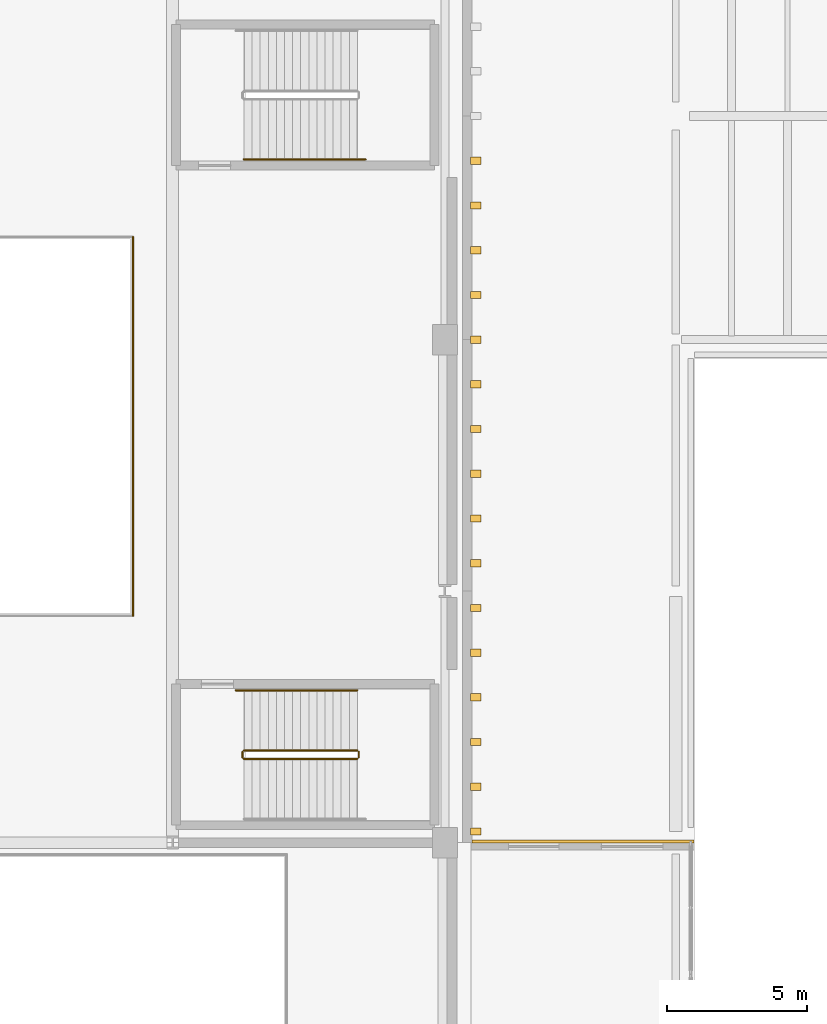
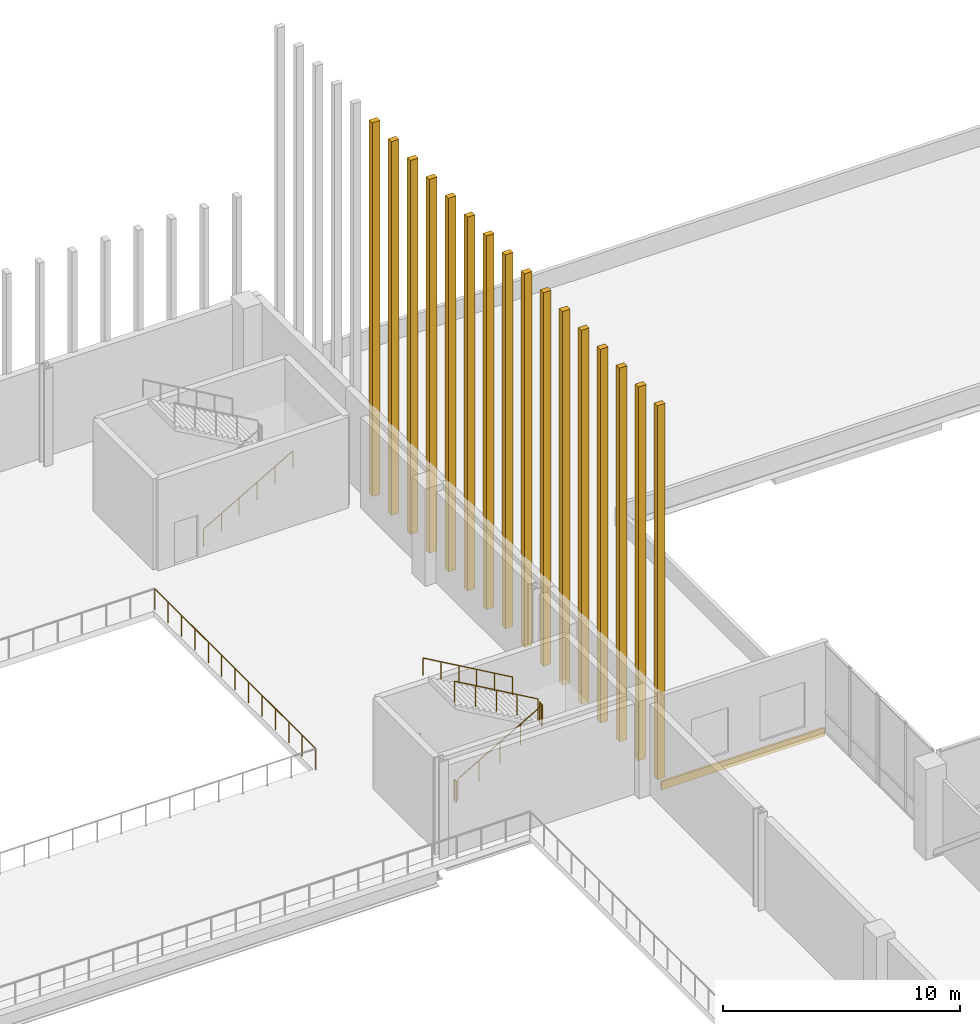
# One storey, part 56 of 60: 17 coverings, 7 railings.
"""IFC4 building model written with IfcOpenShell, lengths in metres."""

from ifc_helpers import new_model, si_unit, direction, frame, origin, origin_2d, place, context, subcontext, project, spatial, rectangle, circle, extrude, material, layer, layer_set, type_object, element, save


model = new_model("IFC4")

# Units and contexts
model_context = context("Model", 3, precision=1e-05, world=origin(), true_north=direction((0.0, 1.0)))
body_context = subcontext(model_context, "Body", "Model", "MODEL_VIEW")
ifc_project = project(units=[si_unit("LENGTHUNIT", "METRE"), si_unit("AREAUNIT", "SQUARE_METRE"), si_unit("VOLUMEUNIT", "CUBIC_METRE"), si_unit("PLANEANGLEUNIT", "RADIAN"), si_unit("MASSUNIT", "GRAM", prefix="KILO")], contexts=[model_context])

# Site, building, storey
site_placement = place(None, origin())
site = spatial("IfcSite", under=ifc_project, at=site_placement, CompositionType="ELEMENT")
building_placement = place(site_placement, origin())
building = spatial("IfcBuilding", under=site, at=building_placement, Name="Trimount Lyric Opera House", CompositionType="ELEMENT")
storey_placement = place(building_placement, frame((0.0, 0.0, 15.0)))
storey = spatial("IfcBuildingStorey", under=building, at=storey_placement, Name="L03", CompositionType="ELEMENT", Elevation=15.0)

# Coverings
ifc_material_1 = material(Name="Extruded Brushed Aluminium Vertical Shed Rib", Category="aluminium")
ifc_layer_1 = layer(ifc_material_1, 0.260009765625)
ifc_layer_set_1 = layer_set([ifc_layer_1], Name="CLD-RIB1")
covering_type_1 = type_object("IfcCoveringType", Name="CLD-RIB1", PredefinedType="CLADDING", material=ifc_layer_set_1)
for number, where, z_axis, x_axis, name in (
    (1, (114.85009765625, 84.39990234375, 0.0), (0.0, 0.0, 1.0), (1.0, 0.0, 0.0), "Fly-tower E lower vertical rib 079"),
    (2, (114.85009765625, 86.0, 0.0), (0.0, 0.0, 1.0), (1.0, 0.0, 0.0), "Fly-tower E lower vertical rib 081"),
    (3, (114.85009765625, 87.60009765625, 0.0), (0.0, 0.0, 1.0), (1.0, 0.0, 0.0), "Fly-tower E lower vertical rib 083"),
    (4, (114.85009765625, 89.199951171875, 0.0), (0.0, 0.0, 1.0), (1.0, 0.0, 0.0), "Fly-tower E lower vertical rib 085"),
    (5, (114.85009765625, 90.800048828125, 0.0), (0.0, 0.0, 1.0), (1.0, 0.0, 0.0), "Fly-tower E lower vertical rib 087"),
    (6, (114.85009765625, 92.39990234375, 0.0), (0.0, 0.0, 1.0), (1.0, 0.0, 0.0), "Fly-tower E lower vertical rib 089"),
    (7, (114.85009765625, 94.0, 0.0), (0.0, 0.0, 1.0), (1.0, 0.0, 0.0), "Fly-tower E lower vertical rib 091"),
    (8, (114.85009765625, 95.60009765625, 0.0), (0.0, 0.0, 1.0), (1.0, 0.0, 0.0), "Fly-tower E lower vertical rib 093"),
    (9, (114.85009765625, 97.199951171875, 0.0), (0.0, 0.0, 1.0), (1.0, 0.0, 0.0), "Fly-tower E lower vertical rib 095"),
    (10, (114.85009765625, 98.800048828125, 0.0), (0.0, 0.0, 1.0), (1.0, 0.0, 0.0), "Fly-tower E lower vertical rib 097"),
    (11, (114.85009765625, 100.39990234375, 0.0), (0.0, 0.0, 1.0), (1.0, 0.0, 0.0), "Fly-tower E lower vertical rib 099"),
    (12, (114.85009765625, 102.0, 0.0), (0.0, 0.0, 1.0), (1.0, 0.0, 0.0), "Fly-tower E lower vertical rib 101"),
    (13, (114.85009765625, 103.60009765625, 0.0), (0.0, 0.0, 1.0), (1.0, 0.0, 0.0), "Fly-tower E lower vertical rib 103"),
    (14, (114.85009765625, 105.199951171875, 0.0), (0.0, 0.0, 1.0), (1.0, 0.0, 0.0), "Fly-tower E lower vertical rib 105"),
    (15, (114.85009765625, 106.800048828125, 0.0), (0.0, 0.0, 1.0), (1.0, 0.0, 0.0), "Fly-tower E lower vertical rib 107"),
    (16, (114.85009765625, 108.39990234375, 0.0), (0.0, 0.0, 1.0), (1.0, 0.0, 0.0), "Fly-tower E lower vertical rib 109"),
):
    element("IfcCovering", number, at=place(storey_placement, frame(where, z_axis=z_axis, x_axis=x_axis)), inside=storey, type_object=covering_type_1, Name=name, PredefinedType="CLADDING", context=body_context, shape_type="SweptSolid", body=[
        extrude(rectangle(XDim=0.3798828125, YDim=0.260009765625, at=origin_2d()), origin(), (0.0, 0.0, 1.0), 19.219970703125),
    ])
ifc_material_2 = material(Name="Architectural Precast Concrete Spandrel Band", Category="concrete")
ifc_layer_2 = layer(ifc_material_2, 0.094970703125)
ifc_layer_set_2 = layer_set([ifc_layer_2], Name="CLD-WING1")
covering_type_2 = type_object("IfcCoveringType", Name="CLD-WING1", PredefinedType="CLADDING", material=ifc_layer_set_2)
covering_placement = place(storey_placement, frame((118.679931640625, 84.04150390625, -0.369873046875), z_axis=(0.0, 0.0, 1.0), x_axis=(1.0, 0.0, 0.0)))
element("IfcCovering", 17, at=covering_placement, inside=storey, type_object=covering_type_2, Name="L03 precast slab-edge spandrel 267", PredefinedType="CLADDING", context=body_context, shape_type="SweptSolid", body=[
    extrude(rectangle(XDim=7.93994140625, YDim=0.094970703125, at=origin_2d()), origin(), (0.0, 0.0, 1.0), 0.419921875),
])

# Railings
ifc_material_3 = material(Name="Brushed Stainless Steel 316", Category="steel")
railing_type_1 = type_object("IfcRailingType", Name="RL-GRD110", PredefinedType="GUARDRAIL", material=ifc_material_3)
railing_1_placement = place(storey_placement, frame((106.550048828125, 87.0, 0.166748046875)))
element("IfcRailing", 18, at=railing_1_placement, inside=storey, type_object=railing_type_1, Name="L03 ST-04 stair guard 1", PredefinedType="GUARDRAIL", context=body_context, shape_type="SweptSolid", body=[
    extrude(circle(Radius=0.02392578125, at=origin_2d()), frame((0.0, 0.0, 1.076171875), z_axis=(0.867024558463, 0.0, 0.498265406207), x_axis=(0.0, 1.0, 0.0)), (0.0, 0.0, 1.0), 4.682861328125),
    extrude(circle(Radius=0.02099609375, at=origin_2d()), origin(), (0.0, 0.0, 1.0), 1.052001953125),
    extrude(circle(Radius=0.02099609375, at=origin_2d()), frame((1.01513671875, 0.0, 0.583251953125)), (0.0, 0.0, 1.0), 1.052001953125),
    extrude(circle(Radius=0.02099609375, at=origin_2d()), frame((2.030029296875, 0.0, 1.16650390625)), (0.0, 0.0, 1.0), 1.052001953125),
    extrude(circle(Radius=0.02099609375, at=origin_2d()), frame((3.044921875, 0.0, 1.75)), (0.0, 0.0, 1.0), 1.052001953125),
    extrude(circle(Radius=0.02099609375, at=origin_2d()), frame((4.06005859375, 0.0, 2.333251953125)), (0.0, 0.0, 1.0), 1.052001953125),
])
railing_2_placement = place(storey_placement, frame((110.659912109375, 87.050048828125, 2.5)))
element("IfcRailing", 19, at=railing_2_placement, inside=storey, type_object=railing_type_1, Name="L03 ST-04 stair guard 2", PredefinedType="GUARDRAIL", context=body_context, shape_type="SweptSolid", body=[
    extrude(circle(Radius=0.02392578125, at=origin_2d()), frame((0.0, 0.0, 1.076171875), z_axis=(0.0, 1.0, 0.0), x_axis=(-1.0, 0.0, 0.0)), (0.0, 0.0, 1.0), 0.199951171875),
    extrude(circle(Radius=0.02099609375, at=origin_2d()), origin(), (0.0, 0.0, 1.0), 1.052001953125),
    extrude(circle(Radius=0.02099609375, at=origin_2d()), frame((0.0, 0.199951171875, 0.0)), (0.0, 0.0, 1.0), 1.052001953125),
])
railing_3_placement = place(storey_placement, frame((110.610107421875, 87.300048828125, 2.666748046875)))
element("IfcRailing", 20, at=railing_3_placement, inside=storey, type_object=railing_type_1, Name="L03 ST-04 stair guard 3", PredefinedType="GUARDRAIL", context=body_context, shape_type="SweptSolid", body=[
    extrude(circle(Radius=0.02392578125, at=origin_2d()), frame((0.0, 0.0, 1.076171875), z_axis=(-0.867024558463, 0.0, 0.498265406207), x_axis=(0.0, -1.0, 0.0)), (0.0, 0.0, 1.0), 4.682861328125),
    extrude(circle(Radius=0.02099609375, at=origin_2d()), origin(), (0.0, 0.0, 1.0), 1.052001953125),
    extrude(circle(Radius=0.02099609375, at=origin_2d()), frame((-1.01513671875, 0.0, 0.583251953125)), (0.0, 0.0, 1.0), 1.052001953125),
    extrude(circle(Radius=0.02099609375, at=origin_2d()), frame((-2.030029296875, 0.0, 1.16650390625)), (0.0, 0.0, 1.0), 1.052001953125),
    extrude(circle(Radius=0.02099609375, at=origin_2d()), frame((-3.044921875, 0.0, 1.75)), (0.0, 0.0, 1.0), 1.052001953125),
    extrude(circle(Radius=0.02099609375, at=origin_2d()), frame((-4.06005859375, 0.0, 2.333251953125)), (0.0, 0.0, 1.0), 1.052001953125),
])
railing_4_placement = place(storey_placement, frame((106.5, 87.050048828125, 0.0)))
element("IfcRailing", 21, at=railing_4_placement, inside=storey, type_object=railing_type_1, Name="L03 ST-04 stair guard 4", PredefinedType="GUARDRAIL", context=body_context, shape_type="SweptSolid", body=[
    extrude(circle(Radius=0.02392578125, at=origin_2d()), frame((0.0, 0.0, 1.076171875), z_axis=(0.0, 1.0, 0.0), x_axis=(-1.0, 0.0, 0.0)), (0.0, 0.0, 1.0), 0.199951171875),
    extrude(circle(Radius=0.02099609375, at=origin_2d()), origin(), (0.0, 0.0, 1.0), 1.052001953125),
    extrude(circle(Radius=0.02099609375, at=origin_2d()), frame((0.0, 0.199951171875, 0.0)), (0.0, 0.0, 1.0), 1.052001953125),
])
railing_5_placement = place(storey_placement, frame((102.580078125, 92.1201171875, 0.0)))
element("IfcRailing", 22, at=railing_5_placement, inside=storey, type_object=railing_type_1, Name="L03 atrium and balcony guard GRD-FLY-L03-E", PredefinedType="GUARDRAIL", context=body_context, shape_type="SweptSolid", body=[
    extrude(circle(Radius=0.02392578125, at=origin_2d()), frame((0.0, 0.0, 1.076171875), z_axis=(0.0, 1.0, 0.0), x_axis=(-1.0, 0.0, 0.0)), (0.0, 0.0, 1.0), 13.559814453125),
    extrude(circle(Radius=0.02099609375, at=origin_2d()), origin(), (0.0, 0.0, 1.0), 1.052001953125),
    extrude(circle(Radius=0.02099609375, at=origin_2d()), frame((0.0, 1.1298828125, 0.0)), (0.0, 0.0, 1.0), 1.052001953125),
    extrude(circle(Radius=0.02099609375, at=origin_2d()), frame((0.0, 2.260009765625, 0.0)), (0.0, 0.0, 1.0), 1.052001953125),
    extrude(circle(Radius=0.02099609375, at=origin_2d()), frame((0.0, 3.389892578125, 0.0)), (0.0, 0.0, 1.0), 1.052001953125),
    extrude(circle(Radius=0.02099609375, at=origin_2d()), frame((0.0, 4.52001953125, 0.0)), (0.0, 0.0, 1.0), 1.052001953125),
    extrude(circle(Radius=0.02099609375, at=origin_2d()), frame((0.0, 5.64990234375, 0.0)), (0.0, 0.0, 1.0), 1.052001953125),
    extrude(circle(Radius=0.02099609375, at=origin_2d()), frame((0.0, 6.77978515625, 0.0)), (0.0, 0.0, 1.0), 1.052001953125),
    extrude(circle(Radius=0.02099609375, at=origin_2d()), frame((0.0, 7.909912109375, 0.0)), (0.0, 0.0, 1.0), 1.052001953125),
    extrude(circle(Radius=0.02099609375, at=origin_2d()), frame((0.0, 9.039794921875, 0.0)), (0.0, 0.0, 1.0), 1.052001953125),
    extrude(circle(Radius=0.02099609375, at=origin_2d()), frame((0.0, 10.169921875, 0.0)), (0.0, 0.0, 1.0), 1.052001953125),
    extrude(circle(Radius=0.02099609375, at=origin_2d()), frame((0.0, 11.2998046875, 0.0)), (0.0, 0.0, 1.0), 1.052001953125),
    extrude(circle(Radius=0.02099609375, at=origin_2d()), frame((0.0, 12.429931640625, 0.0)), (0.0, 0.0, 1.0), 1.052001953125),
    extrude(circle(Radius=0.02099609375, at=origin_2d()), frame((0.0, 13.559814453125, 0.0)), (0.0, 0.0, 1.0), 1.052001953125),
])
ifc_material_4 = material(Name="Brushed Stainless Steel 316", Category="steel")
railing_type_2 = type_object("IfcRailingType", Name="RL-HND092", PredefinedType="HANDRAIL", material=ifc_material_4)
railing_6_placement = place(storey_placement, frame((106.550048828125, 108.449951171875, 0.166748046875)))
element("IfcRailing", 23, at=railing_6_placement, inside=storey, type_object=railing_type_2, Name="L03 ST-02 stair handrail 1", PredefinedType="HANDRAIL", context=body_context, shape_type="SweptSolid", body=[
    extrude(circle(Radius=0.0224609375, at=origin_2d()), frame((0.0, 0.0, 0.8974609375), z_axis=(0.866754379005, 0.0, 0.498735246875), x_axis=(0.0, 1.0, 0.0)), (0.0, 0.0, 1.0), 5.0185546875),
    extrude(circle(Radius=0.02099609375, at=origin_2d()), origin(), (0.0, 0.0, 1.0), 0.875),
    extrude(circle(Radius=0.02099609375, at=origin_2d()), frame((0.869873046875, 0.0, 0.50048828125)), (0.0, 0.0, 1.0), 0.875),
    extrude(circle(Radius=0.02099609375, at=origin_2d()), frame((1.739990234375, 0.0, 1.001220703125)), (0.0, 0.0, 1.0), 0.875),
    extrude(circle(Radius=0.02099609375, at=origin_2d()), frame((2.60986328125, 0.0, 1.501708984375)), (0.0, 0.0, 1.0), 0.875),
    extrude(circle(Radius=0.02099609375, at=origin_2d()), frame((3.47998046875, 0.0, 2.00244140625)), (0.0, 0.0, 1.0), 0.875),
    extrude(circle(Radius=0.02099609375, at=origin_2d()), frame((4.349853515625, 0.0, 2.5029296875)), (0.0, 0.0, 1.0), 0.875),
])
railing_7_placement = place(storey_placement, frame((110.610107421875, 89.449951171875, 2.666748046875)))
element("IfcRailing", 24, at=railing_7_placement, inside=storey, type_object=railing_type_2, Name="L03 ST-04 stair handrail 2", PredefinedType="HANDRAIL", context=body_context, shape_type="SweptSolid", body=[
    extrude(circle(Radius=0.0224609375, at=origin_2d()), frame((0.0, 0.0, 0.8974609375), z_axis=(-0.866766478692, 0.0, 0.498714218181), x_axis=(0.0, -1.0, 0.0)), (0.0, 0.0, 1.0), 5.018798828125),
    extrude(circle(Radius=0.02099609375, at=origin_2d()), origin(), (0.0, 0.0, 1.0), 0.875),
    extrude(circle(Radius=0.02099609375, at=origin_2d()), frame((-0.8701171875, 0.0, 0.50048828125)), (0.0, 0.0, 1.0), 0.875),
    extrude(circle(Radius=0.02099609375, at=origin_2d()), frame((-1.739990234375, 0.0, 1.001220703125)), (0.0, 0.0, 1.0), 0.875),
    extrude(circle(Radius=0.02099609375, at=origin_2d()), frame((-2.610107421875, 0.0, 1.501708984375)), (0.0, 0.0, 1.0), 0.875),
    extrude(circle(Radius=0.02099609375, at=origin_2d()), frame((-3.47998046875, 0.0, 2.00244140625)), (0.0, 0.0, 1.0), 0.875),
    extrude(circle(Radius=0.02099609375, at=origin_2d()), frame((-4.35009765625, 0.0, 2.5029296875)), (0.0, 0.0, 1.0), 0.875),
])

save(model, "model.ifc")
